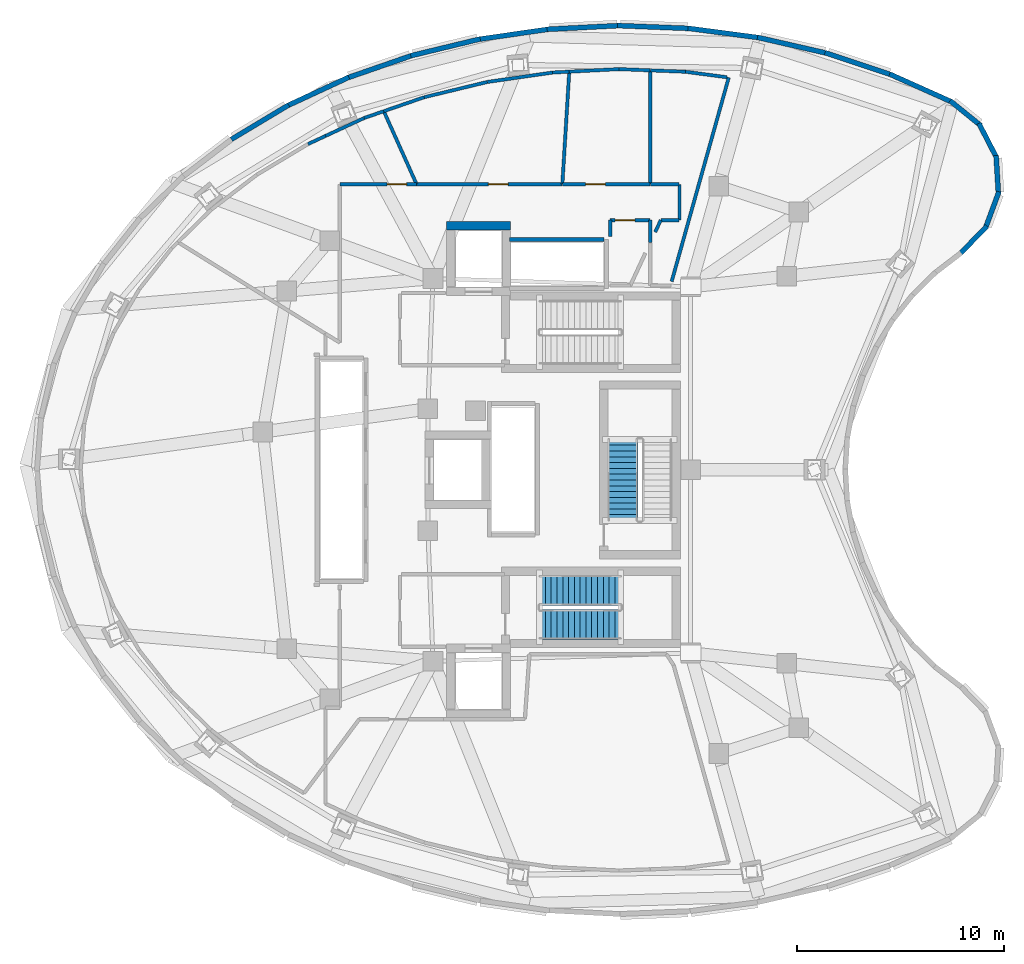
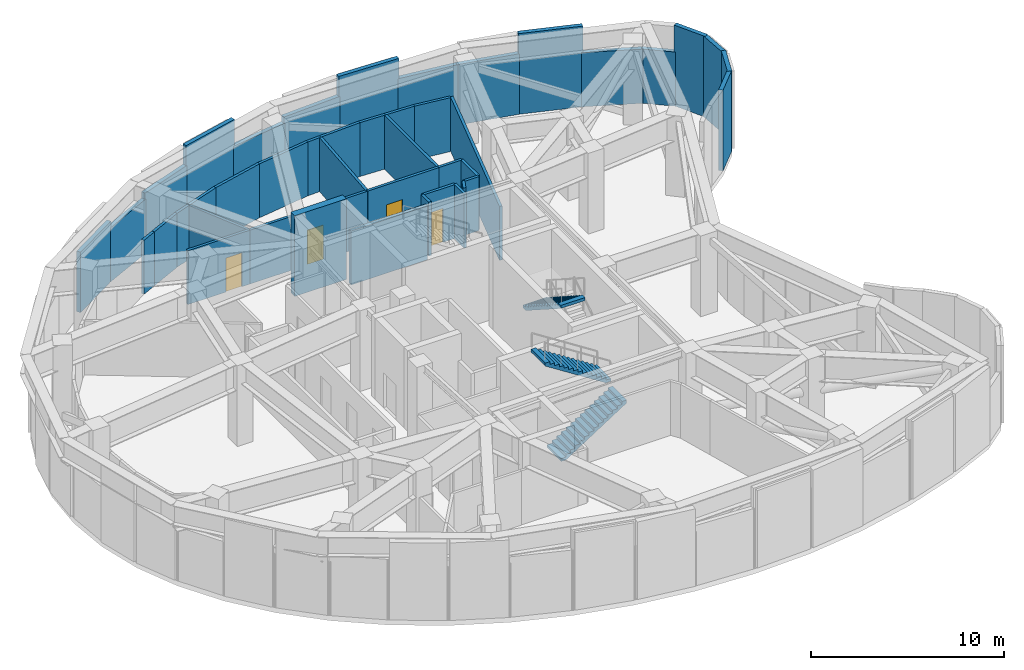
# One storey, part 6 of 10: 43 walls, 4 doors, 3 stair flights, 4 openings, 2 elements without a shape of their own.
"""IFC4 building model written with IfcOpenShell, lengths in metres."""

from ifc_helpers import new_model, si_unit, direction, frame, frame_2d, origin, place, context, subcontext, project, spatial, polyline, rectangle, outline, extrude, material, layer, layer_set, type_object, element, fill, aggregate, save


model = new_model("IFC4")

# Units and contexts
model_context = context("Model", 3, precision=1e-05, world=origin(), true_north=direction((0.0, 1.0)))
body_context = subcontext(model_context, "Body", "Model", "MODEL_VIEW")
ifc_project = project(units=[si_unit("LENGTHUNIT", "METRE"), si_unit("AREAUNIT", "SQUARE_METRE"), si_unit("VOLUMEUNIT", "CUBIC_METRE"), si_unit("PLANEANGLEUNIT", "RADIAN"), si_unit("MASSUNIT", "GRAM", prefix="KILO")], contexts=[model_context])

# Site, building, storey
site_placement = place(None, origin())
site = spatial("IfcSite", under=ifc_project, at=site_placement, CompositionType="ELEMENT")
building_placement = place(site_placement, origin())
building = spatial("IfcBuilding", under=site, at=building_placement, Name="Korentha Bioscience Tower", CompositionType="ELEMENT")
storey_placement = place(building_placement, frame((0.0, 0.0, 213.0)))
storey = spatial("IfcBuildingStorey", under=building, at=storey_placement, Name="L49", CompositionType="ELEMENT", Elevation=213.0)

# Wall, opening, door
ifc_material_1 = material(Name="Gypsum-Clad Steel Stud", Category="steel")
ifc_layer_1 = layer(ifc_material_1, 0.159912109375, Name="Gypsum-Clad Steel Stud")
ifc_layer_set_1 = layer_set([ifc_layer_1], Name="Gypsum-Clad Steel Stud (IW-C160)")
wall_type_1 = type_object("IfcWallType", Name="Fire-Rated Corridor Partition Wall 160", PredefinedType="PARTITIONING", material=ifc_layer_set_1)
wall_1_placement = place(storey_placement, frame((33.659912109375, 39.070068359375, 0.0), z_axis=(0.0, 0.0, 1.0), x_axis=(1.0, 0.0, 0.0)))
wall_1 = element("IfcWall", 1, at=wall_1_placement, inside=storey, type_object=wall_type_1, Name="L49 Refuge Safe Holding Room Entrance Wall", PredefinedType="PARTITIONING", context=body_context, shape_type="SweptSolid", body=[
    extrude(rectangle(XDim=1.93798828125, YDim=0.159912109375, at=frame_2d((0.968994140625, 0.0))), origin(), (0.0, 0.0, 1.0), 3.409912109375),
])
opening_1_placement = place(wall_1_placement, frame((0.239990234375, 0.0, 0.0)))
opening_1 = element("IfcOpeningElement", 2, at=opening_1_placement, cuts=wall_1, Name="Opening FD-120D", PredefinedType="OPENING", context=body_context, shape_type="SweptSolid", body=[
    extrude(rectangle(XDim=0.949951171875, YDim=2.14990234375, at=frame_2d((0.47509765625, 1.074951171875))), frame((0.0, 0.0947265625, 0.0), z_axis=(0.0, -1.0, 0.0), x_axis=(1.0, 0.0, 0.0)), (0.0, 0.0, 1.0), 0.189697265625),
])
ifc_material_2 = material(Name="Heavy-Duty Insulated Steel", Category="steel")
door_type = type_object("IfcDoorType", Name="Plant & Riser Fire Door 950x2150 Left", OperationType="SINGLE_SWING_LEFT", PredefinedType="DOOR", material=ifc_material_2)
door_1_placement = place(opening_1_placement, origin())
door_1 = element("IfcDoor", 3, at=door_1_placement, inside=storey, type_object=door_type, Name="L49 Refuge Safe Holding Room Door", OperationType="SINGLE_SWING_LEFT", OverallHeight=2.14990234375, OverallWidth=0.949951171875, PredefinedType="DOOR", context=body_context, shape_type="SweptSolid", body=[
    extrude(rectangle(XDim=0.949951171875, YDim=2.14990234375, at=frame_2d((0.47509765625, 1.074951171875))), frame((0.0, 0.02490234375, 0.0), z_axis=(0.0, -1.0, 0.0), x_axis=(1.0, 0.0, 0.0)), (0.0, 0.0, 1.0), 0.050048828125),
])
fill(opening_1, door_1)

wall_2_placement = place(storey_placement, frame((35.592041015625, 40.81005859375, 0.0), z_axis=(0.0, 0.0, 1.0), x_axis=(-1.0, 0.0, 0.0)))
wall_2 = element("IfcWall", 4, at=wall_2_placement, inside=storey, type_object=wall_type_1, Name="L49 Domestic and Fire Booster Water Pump Plant 04 Entrance Wall", PredefinedType="PARTITIONING", context=body_context, shape_type="SweptSolid", body=[
    extrude(rectangle(XDim=4.24169921875, YDim=0.159912109375, at=frame_2d((2.120849609375, 0.0))), origin(), (0.0, 0.0, 1.0), 3.409912109375),
])
opening_2_placement = place(wall_2_placement, frame((2.162109375, 0.0, 0.0)))
opening_2 = element("IfcOpeningElement", 5, at=opening_2_placement, cuts=wall_2, Name="Opening FD-120D", PredefinedType="OPENING", context=body_context, shape_type="SweptSolid", body=[
    extrude(rectangle(XDim=0.949951171875, YDim=2.14990234375, at=frame_2d((0.47509765625, 1.074951171875))), frame((0.0, 0.0947265625, 0.0), z_axis=(0.0, -1.0, 0.0), x_axis=(1.0, 0.0, 0.0)), (0.0, 0.0, 1.0), 0.189697265625),
])
door_2_placement = place(opening_2_placement, origin())
door_2 = element("IfcDoor", 6, at=door_2_placement, inside=storey, type_object=door_type, Name="L49 Domestic and Fire Booster Water Pump Plant 04 Door", OperationType="SINGLE_SWING_LEFT", OverallHeight=2.14990234375, OverallWidth=0.949951171875, PredefinedType="DOOR", context=body_context, shape_type="SweptSolid", body=[
    extrude(rectangle(XDim=0.949951171875, YDim=2.14990234375, at=frame_2d((0.47509765625, 1.074951171875))), frame((0.0, 0.02490234375, 0.0), z_axis=(0.0, -1.0, 0.0), x_axis=(1.0, 0.0, 0.0)), (0.0, 0.0, 1.0), 0.050048828125),
])
fill(opening_2, door_2)

wall_3_placement = place(storey_placement, frame((31.34033203125, 40.81005859375, 0.0), z_axis=(0.0, 0.0, 1.0), x_axis=(-1.0, 0.0, 0.0)))
wall_3 = element("IfcWall", 7, at=wall_3_placement, inside=storey, type_object=wall_type_1, Name="L49 Medium-Voltage Transformer Electrical Switch Plant 05 Entrance Wall", PredefinedType="PARTITIONING", context=body_context, shape_type="SweptSolid", body=[
    extrude(rectangle(XDim=7.037841796875, YDim=0.159912109375, at=frame_2d((3.51904296875, 0.0))), origin(), (0.0, 0.0, 1.0), 3.409912109375),
])
opening_3_placement = place(wall_3_placement, frame((2.6103515625, 0.0, 0.0)))
opening_3 = element("IfcOpeningElement", 8, at=opening_3_placement, cuts=wall_3, Name="Opening FD-120D", PredefinedType="OPENING", context=body_context, shape_type="SweptSolid", body=[
    extrude(rectangle(XDim=0.949951171875, YDim=2.14990234375, at=frame_2d((0.47509765625, 1.074951171875))), frame((0.0, 0.0947265625, 0.0), z_axis=(0.0, -1.0, 0.0), x_axis=(1.0, 0.0, 0.0)), (0.0, 0.0, 1.0), 0.189697265625),
])
door_3_placement = place(opening_3_placement, origin())
door_3 = element("IfcDoor", 9, at=door_3_placement, inside=storey, type_object=door_type, Name="L49 Medium-Voltage Transformer Electrical Switch Plant 05 Door", OperationType="SINGLE_SWING_LEFT", OverallHeight=2.14990234375, OverallWidth=0.949951171875, PredefinedType="DOOR", context=body_context, shape_type="SweptSolid", body=[
    extrude(rectangle(XDim=0.949951171875, YDim=2.14990234375, at=frame_2d((0.47509765625, 1.074951171875))), frame((0.0, 0.02490234375, 0.0), z_axis=(0.0, -1.0, 0.0), x_axis=(1.0, 0.0, 0.0)), (0.0, 0.0, 1.0), 0.050048828125),
])
fill(opening_3, door_3)

wall_4_placement = place(storey_placement, frame((24.29150390625, 40.81005859375, 0.0), z_axis=(0.0, 0.0, 1.0), x_axis=(-1.0, 0.0, 0.0)))
wall_4 = element("IfcWall", 10, at=wall_4_placement, inside=storey, type_object=wall_type_1, Name="L49 High-Plume Exhaust Scrubbing Air Plant 06 Entrance Wall", PredefinedType="PARTITIONING", context=body_context, shape_type="SweptSolid", body=[
    extrude(rectangle(XDim=3.69140625, YDim=0.159912109375, at=frame_2d((1.845703125, 0.0))), origin(), (0.0, 0.0, 1.0), 3.409912109375),
])
opening_4_placement = place(wall_4_placement, frame((0.465576171875, 0.0, 0.0)))
opening_4 = element("IfcOpeningElement", 11, at=opening_4_placement, cuts=wall_4, Name="Opening FD-120D", PredefinedType="OPENING", context=body_context, shape_type="SweptSolid", body=[
    extrude(rectangle(XDim=0.949951171875, YDim=2.14990234375, at=frame_2d((0.47509765625, 1.074951171875))), frame((0.0, 0.0947265625, 0.0), z_axis=(0.0, -1.0, 0.0), x_axis=(1.0, 0.0, 0.0)), (0.0, 0.0, 1.0), 0.189697265625),
])
door_4_placement = place(opening_4_placement, origin())
door_4 = element("IfcDoor", 12, at=door_4_placement, inside=storey, type_object=door_type, Name="L49 High-Plume Exhaust Scrubbing Air Plant 06 Door", OperationType="SINGLE_SWING_LEFT", OverallHeight=2.14990234375, OverallWidth=0.949951171875, PredefinedType="DOOR", context=body_context, shape_type="SweptSolid", body=[
    extrude(rectangle(XDim=0.949951171875, YDim=2.14990234375, at=frame_2d((0.47509765625, 1.074951171875))), frame((0.0, 0.02490234375, 0.0), z_axis=(0.0, -1.0, 0.0), x_axis=(1.0, 0.0, 0.0)), (0.0, 0.0, 1.0), 0.050048828125),
])
fill(opening_4, door_4)

# Walls
wall_5_placement = place(storey_placement, frame((33.659912109375, 38.2900390625, 0.0), z_axis=(0.0, 0.0, 1.0), x_axis=(0.0, 1.0, 0.0)))
element("IfcWall", 13, at=wall_5_placement, inside=storey, type_object=wall_type_1, Name="L49 Interior Partition 052", PredefinedType="PARTITIONING", context=body_context, shape_type="SweptSolid", body=[
    extrude(rectangle(XDim=0.780029296875, YDim=0.159912109375, at=frame_2d((0.39013671875, 0.0))), origin(), (0.0, 0.0, 1.0), 3.409912109375),
])
wall_6_placement = place(storey_placement, frame((35.597900390625, 39.070068359375, 0.0), z_axis=(0.0, 0.0, 1.0), x_axis=(0.0, -1.0, 0.0)))
element("IfcWall", 14, at=wall_6_placement, inside=storey, type_object=wall_type_1, Name="L49 Interior Partition 053", PredefinedType="PARTITIONING", context=body_context, shape_type="SweptSolid", body=[
    extrude(rectangle(XDim=1.077880859375, YDim=0.159912109375, at=frame_2d((0.5390625, 0.0))), origin(), (0.0, 0.0, 1.0), 3.409912109375),
])
wall_7_placement = place(storey_placement, frame((35.837890625, 38.490966796875, 0.0), z_axis=(0.0, 0.0, 1.0), x_axis=(0.421335961971, 0.906904629578, 0.0)))
element("IfcWall", 15, at=wall_7_placement, inside=storey, type_object=wall_type_1, Name="L49 Interior Partition 054", PredefinedType="PARTITIONING", context=body_context, shape_type="SweptSolid", body=[
    extrude(rectangle(XDim=0.638427734375, YDim=0.159912109375, at=frame_2d((0.3193359375, 0.0))), origin(), (0.0, 0.0, 1.0), 3.409912109375),
])
wall_8_placement = place(storey_placement, frame((36.10693359375, 39.070068359375, 0.0), z_axis=(0.0, 0.0, 1.0), x_axis=(1.0, 0.0, 0.0)))
element("IfcWall", 16, at=wall_8_placement, inside=storey, type_object=wall_type_1, Name="L49 Interior Partition 055", PredefinedType="PARTITIONING", context=body_context, shape_type="SweptSolid", body=[
    extrude(rectangle(XDim=0.89306640625, YDim=0.159912109375, at=frame_2d((0.446533203125, 0.0))), origin(), (0.0, 0.0, 1.0), 3.409912109375),
])
wall_9_placement = place(storey_placement, frame((37.010009765625, 39.080078125, 0.0), z_axis=(0.0, 0.0, 1.0), x_axis=(0.0, 1.0, 0.0)))
element("IfcWall", 17, at=wall_9_placement, inside=storey, type_object=wall_type_1, Name="L49 Interior Partition 056", PredefinedType="PARTITIONING", context=body_context, shape_type="SweptSolid", body=[
    extrude(rectangle(XDim=1.719970703125, YDim=0.159912109375, at=frame_2d((0.85986328125, 0.0))), origin(), (0.0, 0.0, 1.0), 3.409912109375),
])
wall_10_placement = place(storey_placement, frame((37.0, 40.81005859375, 0.0), z_axis=(0.0, 0.0, 1.0), x_axis=(-1.0, 0.0, 0.0)))
element("IfcWall", 18, at=wall_10_placement, inside=storey, type_object=wall_type_1, Name="L49 Interior Partition 057", PredefinedType="PARTITIONING", context=body_context, shape_type="SweptSolid", body=[
    extrude(rectangle(XDim=1.39794921875, YDim=0.159912109375, at=frame_2d((0.698974609375, 0.0))), origin(), (0.0, 0.0, 1.0), 3.409912109375),
])
wall_11_placement = place(storey_placement, frame((35.60205078125, 40.81005859375, 0.0), z_axis=(0.0, 0.0, 1.0), x_axis=(0.0, 1.0, 0.0)))
element("IfcWall", 19, at=wall_11_placement, inside=storey, type_object=wall_type_1, Name="L49 Interior Partition 058", PredefinedType="PARTITIONING", context=body_context, shape_type="SweptSolid", body=[
    extrude(rectangle(XDim=5.500732421875, YDim=0.159912109375, at=frame_2d((2.75048828125, 0.0))), origin(), (0.0, 0.0, 1.0), 3.409912109375),
])
wall_12_placement = place(storey_placement, frame((35.60205078125, 46.310791015625, 0.0), z_axis=(0.0, 0.0, 1.0), x_axis=(0.999211947878, -0.03969235717, 0.0)))
element("IfcWall", 20, at=wall_12_placement, inside=storey, type_object=wall_type_1, Name="L49 Interior Partition 059", PredefinedType="PARTITIONING", context=body_context, shape_type="SweptSolid", body=[
    extrude(rectangle(XDim=1.697509765625, YDim=0.159912109375, at=frame_2d((0.8486328125, 0.0))), origin(), (0.0, 0.0, 1.0), 3.409912109375),
])
wall_13_placement = place(storey_placement, frame((37.298583984375, 46.243408203125, 0.0), z_axis=(0.0, 0.0, 1.0), x_axis=(0.991359829501, -0.131170455712, 0.0)))
element("IfcWall", 21, at=wall_13_placement, inside=storey, type_object=wall_type_1, Name="L49 Interior Partition 060", PredefinedType="PARTITIONING", context=body_context, shape_type="SweptSolid", body=[
    extrude(rectangle(XDim=2.02880859375, YDim=0.159912109375, at=frame_2d((1.014404296875, 0.0))), origin(), (0.0, 0.0, 1.0), 3.409912109375),
])
wall_14_placement = place(storey_placement, frame((39.394287109375, 45.966064453125, 0.0), z_axis=(0.0, 0.0, 1.0), x_axis=(-0.269473372213, -0.963007840917, 0.0)))
element("IfcWall", 22, at=wall_14_placement, inside=storey, type_object=wall_type_1, Name="L49 Interior Partition 061", PredefinedType="PARTITIONING", context=body_context, shape_type="SweptSolid", body=[
    extrude(rectangle(XDim=10.238525390625, YDim=0.159912109375, at=frame_2d((5.119140625, 0.0))), origin(), (0.0, 0.0, 1.0), 3.409912109375),
])
wall_15_placement = place(storey_placement, frame((31.350341796875, 40.81005859375, 0.0), z_axis=(0.0, 0.0, 1.0), x_axis=(0.061309618462, 0.998118795878, 0.0)))
element("IfcWall", 23, at=wall_15_placement, inside=storey, type_object=wall_type_1, Name="L49 Interior Partition 066", PredefinedType="PARTITIONING", context=body_context, shape_type="SweptSolid", body=[
    extrude(rectangle(XDim=5.447509765625, YDim=0.159912109375, at=frame_2d((2.7236328125, 0.0))), origin(), (0.0, 0.0, 1.0), 3.409912109375),
])
wall_16_placement = place(storey_placement, frame((31.684326171875, 46.247314453125, 0.0), z_axis=(0.0, 0.0, 1.0), x_axis=(0.998674718076, 0.051466566585, 0.0)))
element("IfcWall", 24, at=wall_16_placement, inside=storey, type_object=wall_type_1, Name="L49 Interior Partition 067", PredefinedType="PARTITIONING", context=body_context, shape_type="SweptSolid", body=[
    extrude(rectangle(XDim=2.405029296875, YDim=0.159912109375, at=frame_2d((1.20263671875, 0.0))), origin(), (0.0, 0.0, 1.0), 3.409912109375),
])
wall_17_placement = place(storey_placement, frame((34.086181640625, 46.37109375, 0.0), z_axis=(0.0, 0.0, 1.0), x_axis=(0.999212047746, -0.039689843012, 0.0)))
element("IfcWall", 25, at=wall_17_placement, inside=storey, type_object=wall_type_1, Name="L49 Interior Partition 068", PredefinedType="PARTITIONING", context=body_context, shape_type="SweptSolid", body=[
    extrude(rectangle(XDim=1.507080078125, YDim=0.159912109375, at=frame_2d((0.75341796875, 0.0))), origin(), (0.0, 0.0, 1.0), 3.409912109375),
])
wall_18_placement = place(storey_placement, frame((27.721923828125, 45.749755859375, 0.0), z_axis=(0.0, 0.0, 1.0), x_axis=(0.989727754906, 0.142964929858, 0.0)))
element("IfcWall", 26, at=wall_18_placement, inside=storey, type_object=wall_type_1, Name="L49 Interior Partition 069", PredefinedType="PARTITIONING", context=body_context, shape_type="SweptSolid", body=[
    extrude(rectangle(XDim=3.188232421875, YDim=0.159912109375, at=frame_2d((1.59423828125, 0.0))), origin(), (0.0, 0.0, 1.0), 3.409912109375),
])
wall_19_placement = place(storey_placement, frame((30.87744140625, 46.20556640625, 0.0), z_axis=(0.0, 0.0, 1.0), x_axis=(0.998678015367, 0.051402544909, 0.0)))
element("IfcWall", 27, at=wall_19_placement, inside=storey, type_object=wall_type_1, Name="L49 Interior Partition 070", PredefinedType="PARTITIONING", context=body_context, shape_type="SweptSolid", body=[
    extrude(rectangle(XDim=0.7978515625, YDim=0.159912109375, at=frame_2d((0.39892578125, 0.0))), origin(), (0.0, 0.0, 1.0), 3.409912109375),
])
wall_20_placement = place(storey_placement, frame((24.302490234375, 40.81005859375, 0.0), z_axis=(0.0, 0.0, 1.0), x_axis=(-0.409558218272, 0.912283983114, 0.0)))
element("IfcWall", 28, at=wall_20_placement, inside=storey, type_object=wall_type_1, Name="L49 Interior Partition 071", PredefinedType="PARTITIONING", context=body_context, shape_type="SweptSolid", body=[
    extrude(rectangle(XDim=3.865234375, YDim=0.159912109375, at=frame_2d((1.9326171875, 0.0))), origin(), (0.0, 0.0, 1.0), 3.409912109375),
])
wall_21_placement = place(storey_placement, frame((22.719482421875, 44.336181640625, 0.0), z_axis=(0.0, 0.0, 1.0), x_axis=(0.944828385258, 0.327565752805, 0.0)))
element("IfcWall", 29, at=wall_21_placement, inside=storey, type_object=wall_type_1, Name="L49 Interior Partition 072", PredefinedType="PARTITIONING", context=body_context, shape_type="SweptSolid", body=[
    extrude(rectangle(XDim=2.06298828125, YDim=0.159912109375, at=frame_2d((1.031494140625, 0.0))), origin(), (0.0, 0.0, 1.0), 3.409912109375),
])
wall_22_placement = place(storey_placement, frame((24.668701171875, 45.011962890625, 0.0), z_axis=(0.0, 0.0, 1.0), x_axis=(0.97202349175, 0.234883655211, 0.0)))
element("IfcWall", 30, at=wall_22_placement, inside=storey, type_object=wall_type_1, Name="L49 Interior Partition 073", PredefinedType="PARTITIONING", context=body_context, shape_type="SweptSolid", body=[
    extrude(rectangle(XDim=3.14111328125, YDim=0.159912109375, at=frame_2d((1.570556640625, 0.0))), origin(), (0.0, 0.0, 1.0), 3.409912109375),
])
wall_23_placement = place(storey_placement, frame((19.055908203125, 42.74853515625, 0.0), z_axis=(0.0, 0.0, 1.0), x_axis=(0.90714167255, 0.420825362737, 0.0)))
element("IfcWall", 31, at=wall_23_placement, inside=storey, type_object=wall_type_1, Name="L49 Interior Partition 076", PredefinedType="PARTITIONING", context=body_context, shape_type="SweptSolid", body=[
    extrude(rectangle(XDim=0.92822265625, YDim=0.159912109375, at=frame_2d((0.464111328125, 0.0))), origin(), (0.0, 0.0, 1.0), 3.409912109375),
])
wall_24_placement = place(storey_placement, frame((19.902099609375, 43.14111328125, 0.0), z_axis=(0.0, 0.0, 1.0), x_axis=(0.907143514613, 0.420821391918, 0.0)))
element("IfcWall", 32, at=wall_24_placement, inside=storey, type_object=wall_type_1, Name="L49 Interior Partition 077", PredefinedType="PARTITIONING", context=body_context, shape_type="SweptSolid", body=[
    extrude(rectangle(XDim=2.0537109375, YDim=0.159912109375, at=frame_2d((1.02685546875, 0.0))), origin(), (0.0, 0.0, 1.0), 3.409912109375),
])
wall_25_placement = place(storey_placement, frame((21.765380859375, 44.005615234375, 0.0), z_axis=(0.0, 0.0, 1.0), x_axis=(0.944855343149, 0.32748798531, 0.0)))
element("IfcWall", 33, at=wall_25_placement, inside=storey, type_object=wall_type_1, Name="L49 Interior Partition 078", PredefinedType="PARTITIONING", context=body_context, shape_type="SweptSolid", body=[
    extrude(rectangle(XDim=0.999755859375, YDim=0.159912109375, at=frame_2d((0.5, 0.0))), origin(), (0.0, 0.0, 1.0), 3.409912109375),
])
ifc_material_3 = material(Name="Autoclaved Aerated Concrete Block C25", Category="concrete")
ifc_layer_2 = layer(ifc_material_3, 0.199951171875, Name="Autoclaved Aerated Concrete Block C25")
ifc_layer_set_2 = layer_set([ifc_layer_2], Name="Autoclaved Aerated Concrete Block C25 (IW-S200)")
wall_type_2 = type_object("IfcWallType", Name="Lift and Riser Shaft Enclosure Wall 200", PredefinedType="PARTITIONING", material=ifc_layer_set_2)
wall_26_placement = place(storey_placement, frame((28.800048828125, 38.139892578125, 0.0), z_axis=(0.0, 0.0, 1.0), x_axis=(1.0, 0.0, 0.0)))
element("IfcWall", 34, at=wall_26_placement, inside=storey, type_object=wall_type_2, Name="L49 Lift Bank OBS Shaft Wall +Y", PredefinedType="PARTITIONING", context=body_context, shape_type="SweptSolid", body=[
    extrude(rectangle(XDim=4.570068359375, YDim=0.199951171875, at=frame_2d((2.28515625, 0.0))), origin(), (0.0, 0.0, 1.0), 3.409912109375),
])
ifc_material_4 = material(Name="Concrete C65", Category="concrete")
ifc_layer_3 = layer(ifc_material_4, 0.39990234375, Name="Concrete C65")
ifc_layer_set_3 = layer_set([ifc_layer_3], Name="Concrete C65 (CW-C65)")
wall_type_3 = type_object("IfcWallType", Name="Mid-Rise Core Shear Wall 400", PredefinedType="SHEAR", material=ifc_layer_set_3)
wall_27_placement = place(storey_placement, frame((25.75, 38.800048828125, 0.0), z_axis=(0.0, 0.0, 1.0), x_axis=(1.0, 0.0, 0.0)))
element("IfcWall", 35, at=wall_27_placement, inside=storey, type_object=wall_type_3, Name="L49 Core Shear Wall FFL2-N", PredefinedType="SHEAR", context=body_context, shape_type="SweptSolid", body=[
    extrude(rectangle(XDim=3.10009765625, YDim=0.39990234375, at=frame_2d((1.550048828125, 0.0))), origin(), (0.0, 0.0, 1.0), 5.10009765625),
])
ifc_material_5 = material(Name="Insulated Precast Concrete C40", Category="concrete")
ifc_layer_4 = layer(ifc_material_5, 0.239990234375, Name="Insulated Precast Concrete C40")
ifc_layer_set_4 = layer_set([ifc_layer_4], Name="Insulated Precast Concrete C40 (EW-PL240)")
wall_type_4 = type_object("IfcWallType", Name="Plant Acoustic Louvre Backup Wall 240", PredefinedType="STANDARD", material=ifc_layer_set_4)
wall_28_placement = place(storey_placement, frame((50.205810546875, 44.772216796875, 0.0), z_axis=(0.0, 0.0, 1.0), x_axis=(-0.912651891683, 0.408737721048, 0.0)))
element("IfcWall", 36, at=wall_28_placement, inside=storey, type_object=wall_type_4, Name="L49 Plant Louvre Backup Wall 01", PredefinedType="STANDARD", context=body_context, shape_type="SweptSolid", body=[
    extrude(rectangle(XDim=3.326904296875, YDim=0.239990234375, at=frame_2d((1.66357421875, 0.0))), origin(), (0.0, 0.0, 1.0), 3.425048828125),
])
wall_29_placement = place(storey_placement, frame((47.273681640625, 46.091796875, 0.0), z_axis=(0.0, 0.0, 1.0), x_axis=(-0.948919938757, 0.315516956486, 0.0)))
element("IfcWall", 37, at=wall_29_placement, inside=storey, type_object=wall_type_4, Name="L49 Plant Louvre Backup Wall 02", PredefinedType="STANDARD", context=body_context, shape_type="SweptSolid", body=[
    extrude(rectangle(XDim=3.40087890625, YDim=0.239990234375, at=frame_2d((1.700439453125, 0.0))), origin(), (0.0, 0.0, 1.0), 5.10009765625),
])
wall_30_placement = place(storey_placement, frame((44.15380859375, 47.134765625, 0.0), z_axis=(0.0, 0.0, 1.0), x_axis=(-0.974824764402, 0.222972372076, 0.0)))
element("IfcWall", 38, at=wall_30_placement, inside=storey, type_object=wall_type_4, Name="L49 Plant Louvre Backup Wall 03", PredefinedType="STANDARD", context=body_context, shape_type="SweptSolid", body=[
    extrude(rectangle(XDim=3.458984375, YDim=0.239990234375, at=frame_2d((1.7294921875, 0.0))), origin(), (0.0, 0.0, 1.0), 3.824951171875),
])
wall_31_placement = place(storey_placement, frame((40.891357421875, 47.886474609375, 0.0), z_axis=(0.0, 0.0, 1.0), x_axis=(-0.991365708625, 0.131126014818, 0.0)))
element("IfcWall", 39, at=wall_31_placement, inside=storey, type_object=wall_type_4, Name="L49 Plant Louvre Backup Wall 04", PredefinedType="STANDARD", context=body_context, shape_type="SweptSolid", body=[
    extrude(rectangle(XDim=3.49853515625, YDim=0.239990234375, at=frame_2d((1.749267578125, 0.0))), origin(), (0.0, 0.0, 1.0), 3.824951171875),
])
wall_32_placement = place(storey_placement, frame((37.53369140625, 48.335693359375, 0.0), z_axis=(0.0, 0.0, 1.0), x_axis=(-0.999209031111, 0.039765715712, 0.0)))
element("IfcWall", 40, at=wall_32_placement, inside=storey, type_object=wall_type_4, Name="L49 Plant Louvre Backup Wall 05", PredefinedType="STANDARD", context=body_context, shape_type="SweptSolid", body=[
    extrude(rectangle(XDim=3.517822265625, YDim=0.239990234375, at=frame_2d((1.7587890625, 0.0))), origin(), (0.0, 0.0, 1.0), 5.10009765625),
])
wall_33_placement = place(storey_placement, frame((34.12939453125, 48.47607421875, 0.0), z_axis=(0.0, 0.0, 1.0), x_axis=(-0.998672322768, -0.051513024921, 0.0)))
element("IfcWall", 41, at=wall_33_placement, inside=storey, type_object=wall_type_4, Name="L49 Plant Louvre Backup Wall 06", PredefinedType="STANDARD", context=body_context, shape_type="SweptSolid", body=[
    extrude(rectangle(XDim=3.5166015625, YDim=0.239990234375, at=frame_2d((1.75830078125, 0.0))), origin(), (0.0, 0.0, 1.0), 3.824951171875),
])
wall_34_placement = place(storey_placement, frame((30.727783203125, 48.305908203125, 0.0), z_axis=(0.0, 0.0, 1.0), x_axis=(-0.989720446938, -0.143015512839, 0.0)))
element("IfcWall", 42, at=wall_34_placement, inside=storey, type_object=wall_type_4, Name="L49 Plant Louvre Backup Wall 07", PredefinedType="STANDARD", context=body_context, shape_type="SweptSolid", body=[
    extrude(rectangle(XDim=3.494384765625, YDim=0.239990234375, at=frame_2d((1.7470703125, 0.0))), origin(), (0.0, 0.0, 1.0), 3.425048828125),
])
wall_35_placement = place(storey_placement, frame((27.37841796875, 47.8271484375, 0.0), z_axis=(0.0, 0.0, 1.0), x_axis=(-0.972029900204, -0.2348571334, 0.0)))
element("IfcWall", 43, at=wall_35_placement, inside=storey, type_object=wall_type_4, Name="L49 Plant Louvre Backup Wall 08", PredefinedType="STANDARD", context=body_context, shape_type="SweptSolid", body=[
    extrude(rectangle(XDim=3.452392578125, YDim=0.239990234375, at=frame_2d((1.72607421875, 0.0))), origin(), (0.0, 0.0, 1.0), 5.10009765625),
])
wall_36_placement = place(storey_placement, frame((24.12939453125, 47.047607421875, 0.0), z_axis=(0.0, 0.0, 1.0), x_axis=(-0.944829367367, -0.327562920004, 0.0)))
element("IfcWall", 44, at=wall_36_placement, inside=storey, type_object=wall_type_4, Name="L49 Plant Louvre Backup Wall 09", PredefinedType="STANDARD", context=body_context, shape_type="SweptSolid", body=[
    extrude(rectangle(XDim=3.39208984375, YDim=0.239990234375, at=frame_2d((1.696044921875, 0.0))), origin(), (0.0, 0.0, 1.0), 3.824951171875),
])
wall_37_placement = place(storey_placement, frame((21.0283203125, 45.978515625, 0.0), z_axis=(0.0, 0.0, 1.0), x_axis=(-0.907160542428, -0.420784683967, 0.0)))
element("IfcWall", 45, at=wall_37_placement, inside=storey, type_object=wall_type_4, Name="L49 Plant Louvre Backup Wall 10", PredefinedType="STANDARD", context=body_context, shape_type="SweptSolid", body=[
    extrude(rectangle(XDim=3.31640625, YDim=0.239990234375, at=frame_2d((1.658203125, 0.0))), origin(), (0.0, 0.0, 1.0), 3.425048828125),
])
wall_38_placement = place(storey_placement, frame((18.119384765625, 44.635498046875, 0.0), z_axis=(0.0, 0.0, 1.0), x_axis=(-0.857559644275, -0.514384541478, 0.0)))
element("IfcWall", 46, at=wall_38_placement, inside=storey, type_object=wall_type_4, Name="L49 Plant Louvre Backup Wall 11", PredefinedType="STANDARD", context=body_context, shape_type="SweptSolid", body=[
    extrude(rectangle(XDim=3.228515625, YDim=0.239990234375, at=frame_2d((1.6142578125, 0.0))), origin(), (0.0, 0.0, 1.0), 3.824951171875),
])
for number, where, z_axis, x_axis, name in (
    (47, (50.54248046875, 37.41015625, 0.0), (0.0, 0.0, 1.0), (0.696141837509, 0.717904270826, 0.0), "L49 Plant Louvre Backup Wall 58"),
    (48, (51.79150390625, 38.65478515625, 0.0), (0.0, 0.0, 1.0), (0.347431094857, 0.937705515781, 0.0), "L49 Plant Louvre Backup Wall 59"),
    (49, (52.4326171875, 40.29736328125, 0.0), (0.0, 0.0, 1.0), (-0.060162687216, 0.998188584921, 0.0), "L49 Plant Louvre Backup Wall 60"),
):
    element("IfcWall", number, at=place(storey_placement, frame(where, z_axis=z_axis, x_axis=x_axis)), inside=storey, type_object=wall_type_4, Name=name, PredefinedType="STANDARD", context=body_context, shape_type="SweptSolid", body=[
        extrude(rectangle(XDim=1.9072265625, YDim=0.239990234375, at=frame_2d((0.95361328125, 0.0))), origin(), (0.0, 0.0, 1.0), 5.10009765625),
    ])
wall_39_placement = place(storey_placement, frame((52.356689453125, 42.05908203125, 0.0), z_axis=(0.0, 0.0, 1.0), x_axis=(-0.457579426547, 0.889168751363, 0.0)))
element("IfcWall", 50, at=wall_39_placement, inside=storey, type_object=wall_type_4, Name="L49 Plant Louvre Backup Wall 61", PredefinedType="STANDARD", context=body_context, shape_type="SweptSolid", body=[
    extrude(rectangle(XDim=1.906982421875, YDim=0.239990234375, at=frame_2d((0.95361328125, 0.0))), origin(), (0.0, 0.0, 1.0), 5.10009765625),
])
wall_40_placement = place(storey_placement, frame((51.5771484375, 43.640380859375, 0.0), z_axis=(0.0, 0.0, 1.0), x_axis=(-0.777271699321, 0.629165085995, 0.0)))
element("IfcWall", 51, at=wall_40_placement, inside=storey, type_object=wall_type_4, Name="L49 Plant Louvre Backup Wall 62", PredefinedType="STANDARD", context=body_context, shape_type="SweptSolid", body=[
    extrude(rectangle(XDim=1.9072265625, YDim=0.239990234375, at=frame_2d((0.95361328125, 0.0))), origin(), (0.0, 0.0, 1.0), 3.425048828125),
])

# Stair, stair flights
ifc_material_6 = material(Name="Precast Concrete C50", Category="concrete")
stair_type = type_object("IfcStairType", Name="Core Exit Dog-Leg Stair 1450", PredefinedType="HALF_TURN_STAIR", material=ifc_material_6)
stair_1_placement = place(storey_placement, origin())
stair_1 = element("IfcStair", 52, at=stair_1_placement, inside=storey, type_object=stair_type, Name="L49 Tower South Pressurized Exit Stair ST-2", PredefinedType="HALF_TURN_STAIR")
stair_flight_type = type_object("IfcStairFlightType", Name="Core Exit Dog-Leg Stair 1450 Flight", PredefinedType="STRAIGHT", material=ifc_material_6)
stair_flight_1_placement = place(storey_placement, frame((30.25, 19.52490234375, 0.0), z_axis=(0.0, 0.0, 1.0), x_axis=(1.0, 0.0, 0.0)))
stair_flight_1 = element("IfcStairFlight", 53, at=stair_flight_1_placement, type_object=stair_flight_type, Name="ST-2 flight 1", NumberOfRisers=15, NumberOfTreads=14, PredefinedType="STRAIGHT", RiserHeight=0.18, TreadLength=0.28, context=body_context, shape_type="SweptSolid", body=[
    extrude(outline(polyline([(0.0, 0.0), (0.0, 0.179931640625), (0.280029296875, 0.179931640625), (0.280029296875, 0.360107421875), (0.56005859375, 0.360107421875), (0.56005859375, 0.5400390625), (0.840087890625, 0.5400390625), (0.840087890625, 0.719970703125), (1.1201171875, 0.719970703125), (1.1201171875, 0.89990234375), (1.39990234375, 0.89990234375), (1.39990234375, 1.080078125), (1.679931640625, 1.080078125), (1.679931640625, 1.260009765625), (1.9599609375, 1.260009765625), (1.9599609375, 1.43994140625), (2.239990234375, 1.43994140625), (2.239990234375, 1.6201171875), (2.52001953125, 1.6201171875), (2.52001953125, 1.800048828125), (2.800048828125, 1.800048828125), (2.800048828125, 1.97998046875), (3.080078125, 1.97998046875), (3.080078125, 2.159912109375), (3.360107421875, 2.159912109375), (3.360107421875, 2.340087890625), (3.639892578125, 2.340087890625), (3.639892578125, 2.52001953125), (3.919921875, 2.52001953125), (3.919921875, 2.699951171875), (3.919921875, 2.329833984375), (0.295654296875, 0.0), (0.0, 0.0)])), frame((0.0, 0.72509765625, 0.0), z_axis=(0.0, -1.0, 0.0), x_axis=(1.0, 0.0, 0.0)), (0.0, 0.0, 1.0), 1.449951171875),
])
stair_flight_2_placement = place(storey_placement, frame((34.169921875, 21.175048828125, 2.699951171875), z_axis=(0.0, 0.0, 1.0), x_axis=(-1.0, 0.0, 0.0)))
stair_flight_2 = element("IfcStairFlight", 54, at=stair_flight_2_placement, type_object=stair_flight_type, Name="ST-2 flight 2", NumberOfRisers=15, NumberOfTreads=14, PredefinedType="STRAIGHT", RiserHeight=0.18, TreadLength=0.28, context=body_context, shape_type="SweptSolid", body=[
    extrude(outline(polyline([(0.0, 0.0), (0.0, 0.179931640625), (0.280029296875, 0.179931640625), (0.280029296875, 0.360107421875), (0.56005859375, 0.360107421875), (0.56005859375, 0.5400390625), (0.840087890625, 0.5400390625), (0.840087890625, 0.719970703125), (1.1201171875, 0.719970703125), (1.1201171875, 0.89990234375), (1.39990234375, 0.89990234375), (1.39990234375, 1.080078125), (1.679931640625, 1.080078125), (1.679931640625, 1.260009765625), (1.9599609375, 1.260009765625), (1.9599609375, 1.43994140625), (2.239990234375, 1.43994140625), (2.239990234375, 1.6201171875), (2.52001953125, 1.6201171875), (2.52001953125, 1.800048828125), (2.800048828125, 1.800048828125), (2.800048828125, 1.97998046875), (3.080078125, 1.97998046875), (3.080078125, 2.159912109375), (3.360107421875, 2.159912109375), (3.360107421875, 2.340087890625), (3.639892578125, 2.340087890625), (3.639892578125, 2.52001953125), (3.919921875, 2.52001953125), (3.919921875, 2.699951171875), (3.919921875, 2.329833984375), (0.295654296875, 0.0), (0.0, 0.0)])), frame((0.0, 0.72509765625, 0.0), z_axis=(0.0, -1.0, 0.0), x_axis=(1.0, 0.0, 0.0)), (0.0, 0.0, 1.0), 1.449951171875),
])
aggregate(stair_1, [stair_flight_1, stair_flight_2])

# Stair, stair flight
stair_2_placement = place(storey_placement, origin())
stair_2 = element("IfcStair", 55, at=stair_2_placement, inside=storey, type_object=stair_type, Name="L49 Tower Central Pressurized Exit Stair ST-3", PredefinedType="HALF_TURN_STAIR")
stair_flight_3_placement = place(storey_placement, frame((34.27490234375, 28.469970703125, 2.699951171875), z_axis=(0.0, 0.0, 1.0), x_axis=(0.0, -1.0, 0.0)))
stair_flight_3 = element("IfcStairFlight", 56, at=stair_flight_3_placement, type_object=stair_flight_type, Name="ST-3 flight 2", NumberOfRisers=15, NumberOfTreads=14, PredefinedType="STRAIGHT", RiserHeight=0.18, TreadLength=0.28, context=body_context, shape_type="SweptSolid", body=[
    extrude(outline(polyline([(0.0, 0.0), (0.0, 0.179931640625), (0.280029296875, 0.179931640625), (0.280029296875, 0.360107421875), (0.56005859375, 0.360107421875), (0.56005859375, 0.5400390625), (0.840087890625, 0.5400390625), (0.840087890625, 0.719970703125), (1.1201171875, 0.719970703125), (1.1201171875, 0.89990234375), (1.39990234375, 0.89990234375), (1.39990234375, 1.080078125), (1.679931640625, 1.080078125), (1.679931640625, 1.260009765625), (1.9599609375, 1.260009765625), (1.9599609375, 1.43994140625), (2.239990234375, 1.43994140625), (2.239990234375, 1.6201171875), (2.52001953125, 1.6201171875), (2.52001953125, 1.800048828125), (2.800048828125, 1.800048828125), (2.800048828125, 1.97998046875), (3.080078125, 1.97998046875), (3.080078125, 2.159912109375), (3.360107421875, 2.159912109375), (3.360107421875, 2.340087890625), (3.639892578125, 2.340087890625), (3.639892578125, 2.52001953125), (3.919921875, 2.52001953125), (3.919921875, 2.699951171875), (3.919921875, 2.329833984375), (0.295654296875, 0.0), (0.0, 0.0)])), frame((0.0, 0.72509765625, 0.0), z_axis=(0.0, -1.0, 0.0), x_axis=(1.0, 0.0, 0.0)), (0.0, 0.0, 1.0), 1.449951171875),
])
aggregate(stair_2, [stair_flight_3])

save(model, "model.ifc")
